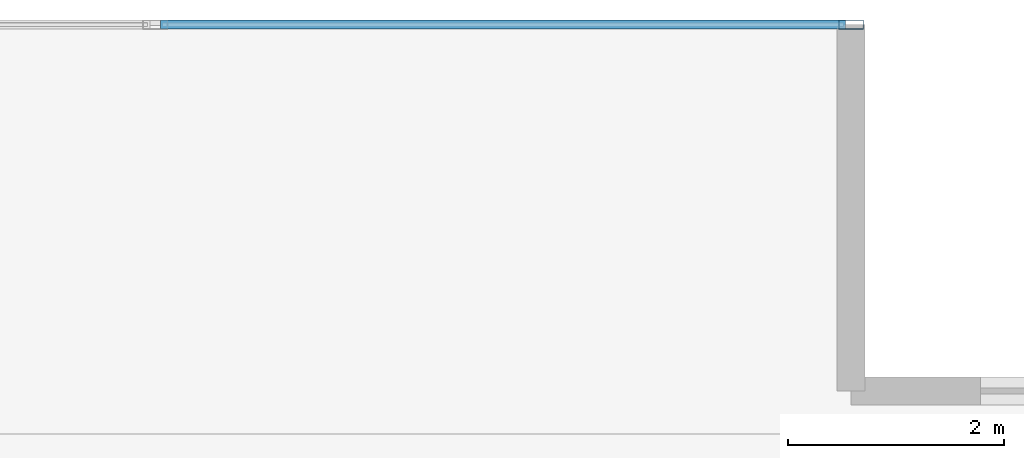
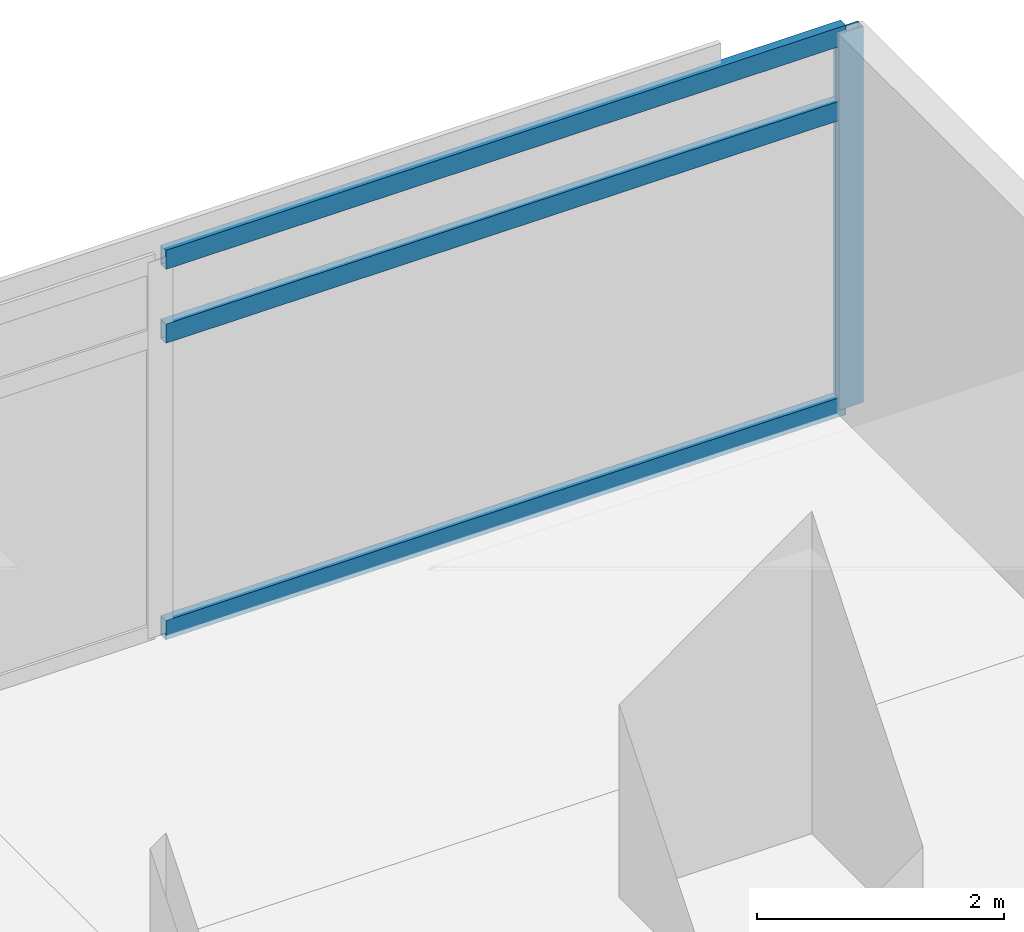
# One storey, part 13 of 22: 4 members, 1 element without a shape of its own.
"""IFC4 building model written with IfcOpenShell, lengths in metres."""

from ifc_helpers import new_model, si_unit, direction, frame, origin, origin_2d, place, context, subcontext, project, spatial, hollow_rectangle, extrude, material, material_profile, profile_set, type_object, element, aggregate, save


model = new_model("IFC4")

# Units and contexts
model_context = context("Model", 3, precision=1e-05, world=origin(), true_north=direction((0.0, 1.0)))
body_context = subcontext(model_context, "Body", "Model", "MODEL_VIEW")
ifc_project = project(units=[si_unit("LENGTHUNIT", "METRE"), si_unit("AREAUNIT", "SQUARE_METRE"), si_unit("VOLUMEUNIT", "CUBIC_METRE"), si_unit("PLANEANGLEUNIT", "RADIAN"), si_unit("MASSUNIT", "GRAM", prefix="KILO")], contexts=[model_context])

# Site, building, storey
site_placement = place(None, origin())
site = spatial("IfcSite", under=ifc_project, at=site_placement, CompositionType="ELEMENT")
building_placement = place(site_placement, origin())
building = spatial("IfcBuilding", under=site, at=building_placement, Name="Kovane Verandah Tower", CompositionType="ELEMENT")
storey_placement = place(building_placement, frame((0.0, 0.0, 99.60009765625)))
storey = spatial("IfcBuildingStorey", under=building, at=storey_placement, Name="L23", CompositionType="ELEMENT", Elevation=99.60009765625)

# Curtain wall, members
ifc_material_1 = material(Name="Champagne Anodised Aluminium Frame with Low-E Clear Laminated Glass", Category="aluminium")
curtain_wall_type = type_object("IfcCurtainWallType", Name="CW-SYS-02-LOW", PredefinedType="NOTDEFINED", material=ifc_material_1)
curtain_wall_placement = place(storey_placement, origin())
curtain_wall = element("IfcCurtainWall", 1, at=curtain_wall_placement, inside=storey, type_object=curtain_wall_type, Name="L23 N Unitised Curtain Wall", PredefinedType="NOTDEFINED")
ifc_material_2 = material(Name="Champagne Anodised Aluminium 6063-T6", Category="aluminium")
ifc_material_profile_1 = material_profile(ifc_material_2, hollow_rectangle(XDim=0.0849609375, YDim=0.22998046875, WallThickness=0.00390625, at=origin_2d()), Name="AL85x230x4")
ifc_profile_set_1 = profile_set([ifc_material_profile_1], Name="Champagne Anodised Aluminium 6063-T6")
member_type_1 = type_object("IfcMemberType", Name="CW-MUL-85x230", PredefinedType="MULLION", material=ifc_profile_set_1)
member_1_placement = place(storey_placement, frame((62.5986328125, 50.218994140625, 0.02001953125), z_axis=(0.0, 0.0, 1.0), x_axis=(0.0, 1.0, 0.0)))
member_1 = element("IfcMember", 2, at=member_1_placement, type_object=member_type_1, Name="L23 N Unitised Curtain Wall Mullion 1", PredefinedType="MULLION", context=body_context, shape_type="SweptSolid", body=[
    extrude(hollow_rectangle(XDim=0.0849609375, YDim=0.22998046875, WallThickness=0.00390625, at=origin_2d()), origin(), (0.0, 0.0, 1.0), 3.719970703125),
])
ifc_material_profile_2 = material_profile(ifc_material_2, hollow_rectangle(XDim=0.0849609375, YDim=0.18994140625, WallThickness=0.00390625, at=origin_2d()), Name="AL85x190x4")
ifc_profile_set_2 = profile_set([ifc_material_profile_2], Name="Champagne Anodised Aluminium 6063-T6")
member_type_2 = type_object("IfcMemberType", Name="CW-TRN-85x190", PredefinedType="USERDEFINED", material=ifc_profile_set_2)
member_2_placement = place(storey_placement, frame((62.548583984375, 50.218994140625, 0.0498046875), z_axis=(-1.0, 0.0, 0.0), x_axis=(0.0, -1.0, 0.0)))
member_2 = element("IfcMember", 3, at=member_2_placement, type_object=member_type_2, Name="L23 N Unitised Curtain Wall Transom TB Bay 1", ObjectType="TRANSOM", PredefinedType="USERDEFINED", context=body_context, shape_type="SweptSolid", body=[
    extrude(hollow_rectangle(XDim=0.0849609375, YDim=0.18994140625, WallThickness=0.00390625, at=origin_2d()), origin(), (0.0, 0.0, 1.0), 6.356689453125),
])
member_3_placement = place(storey_placement, frame((62.548583984375, 50.218994140625, 2.97998046875), z_axis=(-1.0, 0.0, 0.0), x_axis=(0.0, -1.0, 0.0)))
member_3 = element("IfcMember", 4, at=member_3_placement, type_object=member_type_2, Name="L23 N Unitised Curtain Wall Transom TM Bay 1", ObjectType="TRANSOM", PredefinedType="USERDEFINED", context=body_context, shape_type="SweptSolid", body=[
    extrude(hollow_rectangle(XDim=0.0849609375, YDim=0.18994140625, WallThickness=0.00390625, at=origin_2d()), origin(), (0.0, 0.0, 1.0), 6.356689453125),
])
member_4_placement = place(storey_placement, frame((62.548583984375, 50.218994140625, 3.7099609375), z_axis=(-1.0, 0.0, 0.0), x_axis=(0.0, -1.0, 0.0)))
member_4 = element("IfcMember", 5, at=member_4_placement, type_object=member_type_2, Name="L23 N Unitised Curtain Wall Transom TT Bay 1", ObjectType="TRANSOM", PredefinedType="USERDEFINED", context=body_context, shape_type="SweptSolid", body=[
    extrude(hollow_rectangle(XDim=0.0849609375, YDim=0.18994140625, WallThickness=0.00390625, at=origin_2d()), origin(), (0.0, 0.0, 1.0), 6.356689453125),
])
aggregate(curtain_wall, [member_1, member_2, member_3, member_4])

save(model, "model.ifc")
